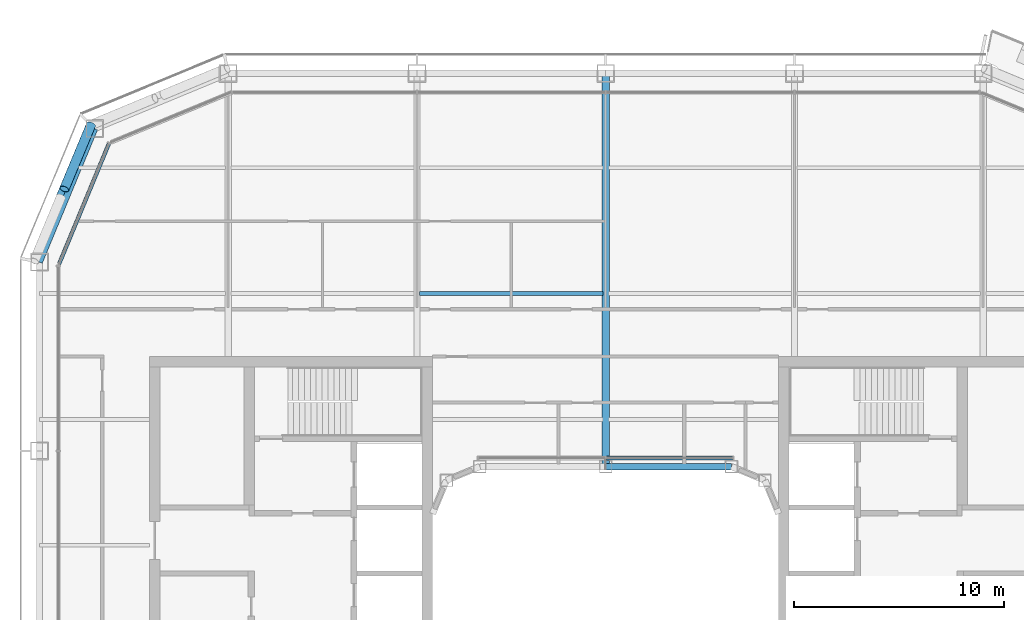
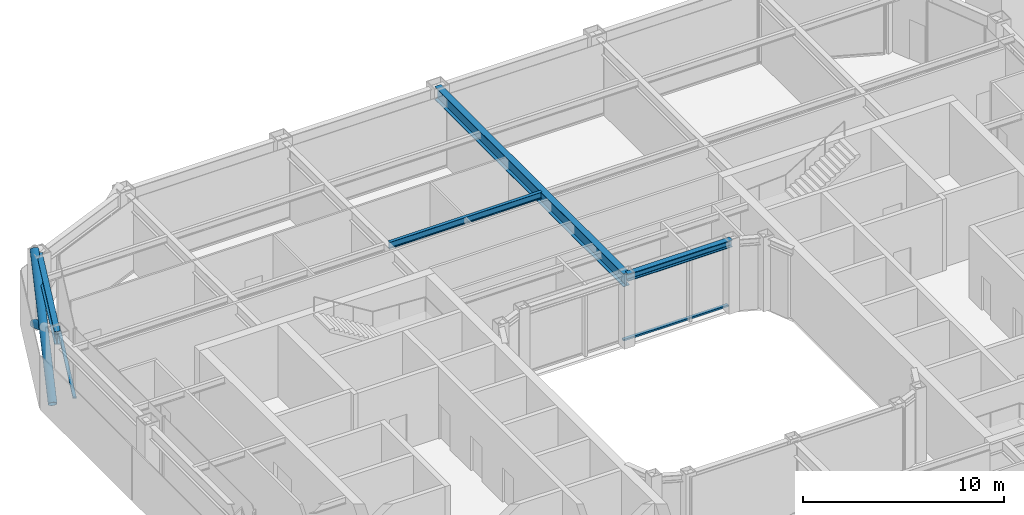
# One storey, part 7 of 23: 4 beams, 4 members, 2 elements without a shape of their own.
"""IFC4 building model written with IfcOpenShell, lengths in metres."""

from ifc_helpers import new_model, si_unit, direction, frame, origin, origin_2d, place, context, subcontext, project, spatial, rectangle, hollow_circle, i_section, extrude, material, layer, layer_set, material_profile, profile_set, type_object, element, aggregate, save


model = new_model("IFC4")

# Units and contexts
model_context = context("Model", 3, precision=1e-05, world=origin(), true_north=direction((0.0, 1.0)))
body_context = subcontext(model_context, "Body", "Model", "MODEL_VIEW")
ifc_project = project(units=[si_unit("LENGTHUNIT", "METRE"), si_unit("AREAUNIT", "SQUARE_METRE"), si_unit("VOLUMEUNIT", "CUBIC_METRE"), si_unit("PLANEANGLEUNIT", "RADIAN"), si_unit("MASSUNIT", "GRAM", prefix="KILO")], contexts=[model_context])

# Site, building, storey
site_placement = place(None, origin())
site = spatial("IfcSite", under=ifc_project, at=site_placement, CompositionType="ELEMENT")
building_placement = place(site_placement, origin())
building = spatial("IfcBuilding", under=site, at=building_placement, Name="Siwar Civic Tower", CompositionType="ELEMENT")
storey_placement = place(building_placement, frame((0.0, 0.0, 224.199951171875)))
storey = spatial("IfcBuildingStorey", under=building, at=storey_placement, Name="L48", CompositionType="ELEMENT", Elevation=224.199951171875)

# Curtain wall, member
ifc_material_1 = material(Name="Aluminium clad insulated panel", Category="aluminium")
ifc_layer_1 = layer(ifc_material_1, 0.179931640625)
ifc_layer_set_1 = layer_set([ifc_layer_1], Name="Aluminium clad insulated panel")
curtain_wall_type_1 = type_object("IfcCurtainWallType", Name="ENV-CW-CX", PredefinedType="NOTDEFINED", material=ifc_layer_set_1)
curtain_wall_1_placement = place(storey_placement, origin())
curtain_wall_1 = element("IfcCurtainWall", 1, at=curtain_wall_1_placement, inside=storey, type_object=curtain_wall_type_1, Name="Curtain wall C NW2", PredefinedType="NOTDEFINED")
ifc_material_2 = material(Name="Aluminium 6063-T6", Category="aluminium")
ifc_material_profile_1 = material_profile(ifc_material_2, rectangle(XDim=0.179931640625, YDim=0.10009765625, at=origin_2d()), Name="AL 180x100")
ifc_profile_set_1 = profile_set([ifc_material_profile_1], Name="Aluminium 6063-T6")
member_type_1 = type_object("IfcMemberType", Name="ENV-TRANSOM-C", PredefinedType="USERDEFINED", material=ifc_profile_set_1)
member_1_placement = place(storey_placement, frame((-23.6865234375, 23.6474609375, 0.050048828125), z_axis=(-0.382691366456, -0.923876246063, 0.0), x_axis=(0.923876246063, -0.382691366456, 0.0)))
member_1 = element("IfcMember", 2, at=member_1_placement, type_object=member_type_1, Name="Transom C NW2 1", ObjectType="TRANSOM", PredefinedType="USERDEFINED", context=body_context, shape_type="SweptSolid", body=[
    extrude(rectangle(XDim=0.179931640625, YDim=0.10009765625, at=origin_2d()), origin(), (0.0, 0.0, 1.0), 6.20166015625),
])
aggregate(curtain_wall_1, [member_1])

ifc_material_3 = material(Name="Aluminium and glass", Category="aluminium")
ifc_layer_2 = layer(ifc_material_3, 0.179931640625)
ifc_layer_set_2 = layer_set([ifc_layer_2], Name="Aluminium and glass")
curtain_wall_type_2 = type_object("IfcCurtainWallType", Name="ENV-CW-W", PredefinedType="NOTDEFINED", material=ifc_layer_set_2)
curtain_wall_2_placement = place(storey_placement, origin())
curtain_wall_2 = element("IfcCurtainWall", 3, at=curtain_wall_2_placement, inside=storey, type_object=curtain_wall_type_2, Name="Curtain wall W WN", PredefinedType="NOTDEFINED")
ifc_material_4 = material(Name="Aluminium 6063-T6", Category="aluminium")
ifc_material_profile_2 = material_profile(ifc_material_4, rectangle(XDim=0.179931640625, YDim=0.10009765625, at=origin_2d()), Name="AL 180x100")
ifc_profile_set_2 = profile_set([ifc_material_profile_2], Name="Aluminium 6063-T6")
member_type_2 = type_object("IfcMemberType", Name="ENV-TRANSOM-W", PredefinedType="USERDEFINED", material=ifc_profile_set_2)
member_2_placement = place(storey_placement, frame((6.051513671875, 8.659912109375, 0.050048828125), z_axis=(-1.0, 0.0, 0.0), x_axis=(0.0, -1.0, 0.0)))
member_2 = element("IfcMember", 4, at=member_2_placement, type_object=member_type_2, Name="Transom W WN 1", ObjectType="TRANSOM", PredefinedType="USERDEFINED", context=body_context, shape_type="SweptSolid", body=[
    extrude(rectangle(XDim=0.179931640625, YDim=0.10009765625, at=origin_2d()), origin(), (0.0, 0.0, 1.0), 6.021484375),
])
aggregate(curtain_wall_2, [member_2])

# Members
ifc_material_5 = material(Name="Steel S355", Category="steel")
ifc_material_profile_3 = material_profile(ifc_material_5, hollow_circle(Radius=0.228515625, WallThickness=0.02001953125, at=origin_2d()), Name="CHS457x20")
ifc_profile_set_3 = profile_set([ifc_material_profile_3], Name="Steel S355")
member_type_3 = type_object("IfcMemberType", Name="STR-BR-CHS457x20", PredefinedType="BRACE", material=ifc_profile_set_3)
member_3_placement = place(storey_placement, frame((-27.2451171875, 18.048828125, 0.0), z_axis=(0.323905527954, 0.777554562952, 0.538975055633), x_axis=(-0.923108759191, 0.384538969033, 0.0)))
element("IfcMember", 5, at=member_3_placement, inside=storey, type_object=member_type_3, Name="L48/brc/CNW1-8-0-1", PredefinedType="BRACE", context=body_context, shape_type="SweptSolid", body=[
    extrude(hollow_circle(Radius=0.228515625, WallThickness=0.02001953125, at=origin_2d()), origin(), (0.0, 0.0, 1.0), 8.34912109375),
])
member_4_placement = place(storey_placement, frame((-24.540771484375, 24.540771484375, 0.0), z_axis=(-0.323884455881, -0.777546448489, 0.538999424564), x_axis=(0.92311621485, -0.38452107079, 0.0)))
element("IfcMember", 6, at=member_4_placement, inside=storey, type_object=member_type_3, Name="L48/brc/CNW1-8-0-2", PredefinedType="BRACE", context=body_context, shape_type="SweptSolid", body=[
    extrude(hollow_circle(Radius=0.228515625, WallThickness=0.02001953125, at=origin_2d()), origin(), (0.0, 0.0, 1.0), 3.927978515625),
])

# Beams
ifc_material_6 = material(Name="Steel S355", Category="steel")
ifc_material_profile_4 = material_profile(ifc_material_6, i_section(OverallWidth=0.179931640625, OverallDepth=0.39990234375, WebThickness=0.008544921875, FlangeThickness=0.013427734375, FilletRadius=0.02099609375, at=origin_2d()), Name="IPE400")
ifc_profile_set_4 = profile_set([ifc_material_profile_4], Name="Steel S355")
beam_type_1 = type_object("IfcBeamType", Name="STR-FB-IPE400", PredefinedType="JOIST", material=ifc_profile_set_4)
beam_1_placement = place(storey_placement, frame((-8.8701171875, 16.5, 4.150146484375), z_axis=(1.0, 0.0, 0.0), x_axis=(0.0, 1.0, 0.0)))
element("IfcBeam", 7, at=beam_1_placement, inside=storey, type_object=beam_type_1, Name="L48/bm/F033", PredefinedType="JOIST", context=body_context, shape_type="SweptSolid", body=[
    extrude(i_section(OverallWidth=0.179931640625, OverallDepth=0.39990234375, WebThickness=0.008544921875, FlangeThickness=0.013427734375, FilletRadius=0.02099609375, at=origin_2d()), origin(), (0.0, 0.0, 1.0), 8.740234375),
])
ifc_material_7 = material(Name="Steel S355", Category="steel")
ifc_material_profile_5 = material_profile(ifc_material_7, i_section(OverallWidth=0.360107421875, OverallDepth=0.800048828125, WebThickness=0.013916015625, FlangeThickness=0.031982421875, at=origin_2d()), Name="PG800x360x14x32")
ifc_profile_set_5 = profile_set([ifc_material_profile_5], Name="Steel S355")
beam_type_2 = type_object("IfcBeamType", Name="STR-PG-PG800x360x14x32", PredefinedType="BEAM", material=ifc_profile_set_5)
beam_2_placement = place(storey_placement, frame((0.0, 8.25, 3.949951171875), z_axis=(0.0, 1.0, 0.0), x_axis=(-1.0, 0.0, 0.0)))
element("IfcBeam", 8, at=beam_2_placement, inside=storey, type_object=beam_type_2, Name="L48/bm/G06", PredefinedType="BEAM", context=body_context, shape_type="SweptSolid", body=[
    extrude(i_section(OverallWidth=0.360107421875, OverallDepth=0.800048828125, WebThickness=0.013916015625, FlangeThickness=0.031982421875, at=origin_2d()), origin(), (0.0, 0.0, 1.0), 18.75),
])
ifc_material_8 = material(Name="Steel S355", Category="steel")
ifc_material_profile_6 = material_profile(ifc_material_8, i_section(OverallWidth=0.306884765625, OverallDepth=0.431884765625, WebThickness=0.02099609375, FlangeThickness=0.0400390625, FilletRadius=0.027099609375, at=origin_2d()), Name="HEM400")
ifc_profile_set_6 = profile_set([ifc_material_profile_6], Name="Steel S355")
beam_type_3 = type_object("IfcBeamType", Name="STR-RB-HEM400", PredefinedType="BEAM", material=ifc_profile_set_6)
beam_3_placement = place(storey_placement, frame((0.0, 8.25, 4.134033203125), z_axis=(1.0, 0.0, 0.0), x_axis=(0.0, 1.0, 0.0)))
element("IfcBeam", 9, at=beam_3_placement, inside=storey, type_object=beam_type_3, Name="L48/bm/RN2", PredefinedType="BEAM", context=body_context, shape_type="SweptSolid", body=[
    extrude(i_section(OverallWidth=0.306884765625, OverallDepth=0.431884765625, WebThickness=0.02099609375, FlangeThickness=0.0400390625, FilletRadius=0.027099609375, at=origin_2d()), origin(), (0.0, 0.0, 1.0), 6.0),
])
ifc_material_9 = material(Name="Steel S355", Category="steel")
ifc_material_profile_7 = material_profile(ifc_material_9, i_section(OverallWidth=0.300048828125, OverallDepth=0.800048828125, WebThickness=0.017578125, FlangeThickness=0.032958984375, FilletRadius=0.030029296875, at=origin_2d()), Name="HEB800")
ifc_profile_set_7 = profile_set([ifc_material_profile_7], Name="Steel S355")
beam_type_4 = type_object("IfcBeamType", Name="STR-SB-HEB800", PredefinedType="BEAM", material=ifc_profile_set_7)
beam_4_placement = place(storey_placement, frame((-24.364013671875, 24.364013671875, 3.949951171875), z_axis=(-0.382674207535, -0.923883353507, 0.0), x_axis=(0.923883353507, -0.382674207535, 0.0)))
element("IfcBeam", 10, at=beam_4_placement, inside=storey, type_object=beam_type_4, Name="L48/bm/SNW2-0", PredefinedType="BEAM", context=body_context, shape_type="SweptSolid", body=[
    extrude(i_section(OverallWidth=0.300048828125, OverallDepth=0.800048828125, WebThickness=0.017578125, FlangeThickness=0.032958984375, FilletRadius=0.030029296875, at=origin_2d()), origin(), (0.0, 0.0, 1.0), 6.888427734375),
])

save(model, "model.ifc")
